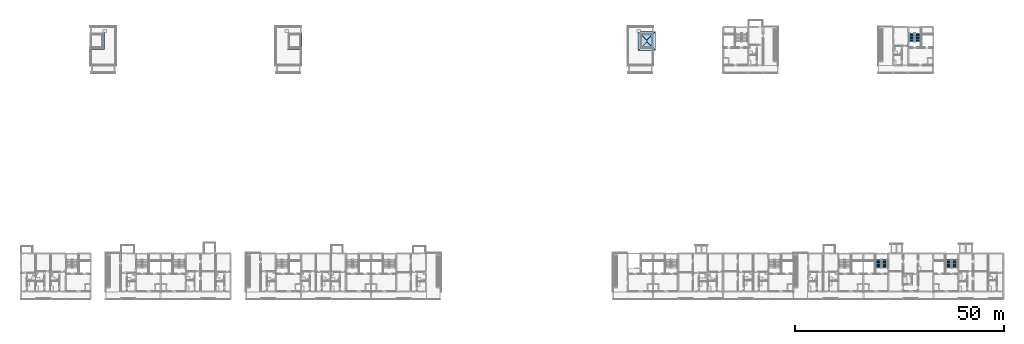
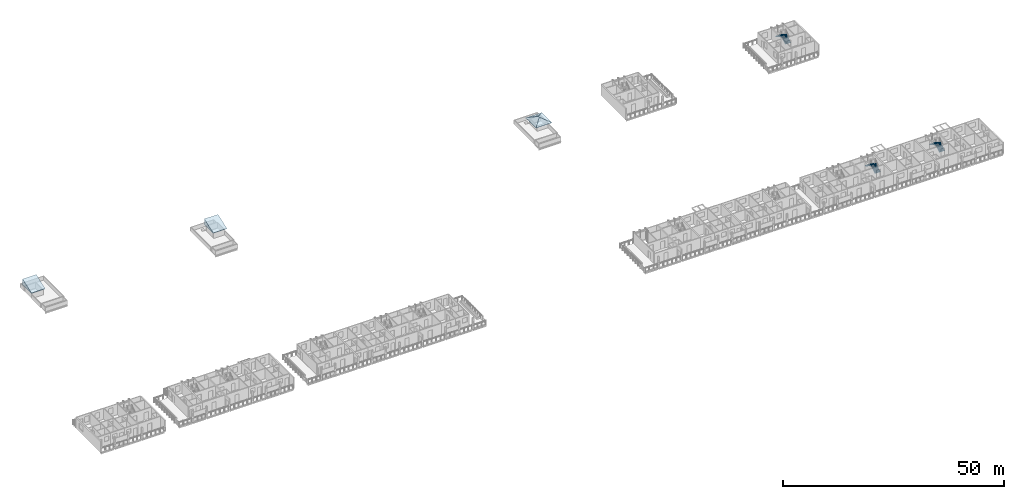
# One storey, part 44 of 64: 6 roofs, 6 stair flights, 3 elements without a shape of their own.
"""IFC4 building model written with IfcOpenShell, lengths in metres."""

import ifcopenshell
import ifcopenshell.guid

model = None  # the IFC model being written
_history = None  # IfcOwnerHistory: only IFC2X3 demands one
_inside = {}  # id of a spatial element -> (the spatial element, [elements in it])
_under = {}  # id of a project, library or spatial element -> (it, [spatial elements below it])
_declared = {}  # id of a project -> (the project, [libraries it declares])
_typed = {}  # id of a type object -> (the type object, [elements of that type])
_made_of = {}  # id of a material, layer set ... -> (it, [elements and type objects made of it])


def new_model(schema):
    """Start an empty IFC model of exactly this schema.

    Asked for "IFC4X3", IfcOpenShell would pick the latest addendum, in which some entities
    have other attributes; the version numbers below select the first issue.
    IFC2X3 requires an IfcOwnerHistory on every rooted entity: one is made here for all.
    """
    global model, _history
    if schema == "IFC4X3":
        model = ifcopenshell.file(schema_version=(4, 3, 0, 0))
    else:
        model = ifcopenshell.file(schema=schema)
    _inside.clear()
    _under.clear()
    _declared.clear()
    _typed.clear()
    _made_of.clear()
    _history = None
    if model.schema == "IFC2X3":
        org = make("IfcOrganization", Name="unknown")
        user = make(
            "IfcPersonAndOrganization",
            ThePerson=make("IfcPerson", FamilyName="unknown"),
            TheOrganization=org,
        )
        app = make(
            "IfcApplication",
            ApplicationDeveloper=org,
            Version="unknown",
            ApplicationFullName="unknown",
            ApplicationIdentifier="unknown",
        )
        _history = make(
            "IfcOwnerHistory",
            OwningUser=user,
            OwningApplication=app,
            ChangeAction="ADDED",
            CreationDate=0,
        )
    return model


def make(cls, **values):
    """One entity of the class cls with the attributes given. An attribute that is None is left unset."""
    return model.create_entity(
        cls, **{name: value for name, value in values.items() if value is not None}
    )


def rooted(cls, **values):
    """An entity with a GlobalId (a new one), such as an element, a storey or a relation."""
    return make(cls, GlobalId=ifcopenshell.guid.new(), OwnerHistory=_history, **values)


def si_unit(unit_type, name, prefix=None):
    """IfcSIUnit, for example si_unit("LENGTHUNIT", "METRE", prefix="MILLI")."""
    return make("IfcSIUnit", UnitType=unit_type, Prefix=prefix, Name=name)


def assignment(units):
    """IfcUnitAssignment: the units of a project."""
    return None if units is None else make("IfcUnitAssignment", Units=units)


def point(xyz):
    """IfcCartesianPoint."""
    return None if xyz is None else make("IfcCartesianPoint", Coordinates=xyz)


def direction(xyz):
    """IfcDirection."""
    return None if xyz is None else make("IfcDirection", DirectionRatios=xyz)


def frame(location, z_axis=None, x_axis=None):
    """IfcAxis2Placement3D, a coordinate frame: its origin and axes. An axis left out is left unset."""
    return make(
        "IfcAxis2Placement3D",
        Location=point(location),
        Axis=direction(z_axis),
        RefDirection=direction(x_axis),
    )


def origin():
    """The frame at (0, 0, 0) with its axes left unset."""
    return frame((0.0, 0.0, 0.0))


def place(relative_to, where):
    """IfcLocalPlacement: puts the frame where relative to a parent placement (None: the world)."""
    return make(
        "IfcLocalPlacement", PlacementRelTo=relative_to, RelativePlacement=where
    )


def context(
    kind, dimensions, precision=None, world=None, true_north=None, identifier=None
):
    """IfcGeometricRepresentationContext, for example the 3D "Model" context."""
    return make(
        "IfcGeometricRepresentationContext",
        ContextIdentifier=identifier,
        ContextType=kind,
        CoordinateSpaceDimension=dimensions,
        Precision=precision,
        WorldCoordinateSystem=world,
        TrueNorth=true_north,
    )


def subcontext(parent, identifier, kind, view, scale=None):
    """IfcGeometricRepresentationSubContext, for example "Body" below "Model"."""
    return make(
        "IfcGeometricRepresentationSubContext",
        ContextIdentifier=identifier,
        ContextType=kind,
        ParentContext=parent,
        TargetScale=scale,
        TargetView=view,
    )


def project(units=None, contexts=None):
    """IfcProject with its units and contexts."""
    return rooted(
        "IfcProject",
        Name="project",
        RepresentationContexts=contexts,
        UnitsInContext=assignment(units),
    )


def spatial(cls, under=None, at=None, **own):
    """A site, building, storey or space (cls), placed at a placement, below another one or the project."""
    s = rooted(cls, ObjectPlacement=at, **own)
    if under is not None:
        _under.setdefault(under.id(), (under, []))[1].append(s)
    return s


def polyline(points):
    """IfcPolyline through the points."""
    return make("IfcPolyline", Points=[point(p) for p in points])


def outline(outer, holes=None, kind="AREA"):
    """IfcArbitraryClosedProfileDef: a profile drawn as a closed curve; with holes, ...WithVoids."""
    if holes is None:
        return make("IfcArbitraryClosedProfileDef", ProfileType=kind, OuterCurve=outer)
    return make(
        "IfcArbitraryProfileDefWithVoids",
        ProfileType=kind,
        OuterCurve=outer,
        InnerCurves=holes,
    )


def extrude(swept, where, along, depth):
    """IfcExtrudedAreaSolid: the profile swept, set in the frame where, extruded along a direction by depth."""
    return make(
        "IfcExtrudedAreaSolid",
        SweptArea=swept,
        Position=where,
        ExtrudedDirection=direction(along),
        Depth=depth,
    )


def shape(context_of_items, identifier, shape_type, items):
    """IfcShapeRepresentation: the items that make up one representation, for example the "Body"."""
    return make(
        "IfcShapeRepresentation",
        ContextOfItems=context_of_items,
        RepresentationIdentifier=identifier,
        RepresentationType=shape_type,
        Items=items,
    )


def material(Name=None, Category=None):
    """IfcMaterial."""
    return make("IfcMaterial", Name=Name, Category=Category)


def made_of(thing, what):
    """Note that an element or type object is made of a material, layer set ...; save() writes the relation."""
    if what is not None:
        _made_of.setdefault(what.id(), (what, []))[1].append(thing)
    return thing


def type_object(cls, material=None, **own):
    """A type object (cls), such as IfcWallType, which elements share."""
    return made_of(rooted(cls, **own), material)


def element(
    cls,
    number,
    at=None,
    inside=None,
    cuts=None,
    type_object=None,
    material=None,
    context=None,
    identifier="Body",
    shape_type=None,
    held_by="IfcProductDefinitionShape",
    body=None,
    shapes=None,
    **own,
):
    """One element of the class cls, such as IfcWall. Its Tag is "e" and its number.

    at: its placement. inside: the storey or other place that contains it. cuts: it is an
    opening in that element (IfcRelVoidsElement). A single representation is given by context,
    identifier, shape_type and body (its items); several are given by shapes. held_by: the class
    of the entity that holds the representations. save() writes the other relations.
    """
    e = rooted(cls, Tag="e%d" % number, ObjectPlacement=at, **own)
    if body is not None:
        shapes = [shape(context, identifier, shape_type, body)]
    if shapes is not None:
        e.Representation = make(held_by, Representations=shapes)
    if inside is not None:
        _inside.setdefault(inside.id(), (inside, []))[1].append(e)
    if cuts is not None:
        rooted(
            "IfcRelVoidsElement", RelatingBuildingElement=cuts, RelatedOpeningElement=e
        )
    if type_object is not None:
        _typed.setdefault(type_object.id(), (type_object, []))[1].append(e)
    return made_of(e, material)


def aggregate(whole, parts):
    """IfcRelAggregates: a whole, such as a stair, and the parts it consists of."""
    return rooted("IfcRelAggregates", RelatingObject=whole, RelatedObjects=parts)


def save(model, path):
    """Write the relations noted so far, then the file.

    IfcRelAggregates (storeys below a building ...), IfcRelContainedInSpatialStructure (elements
    in a storey), IfcRelDefinesByType, IfcRelAssociatesMaterial and IfcRelDeclares: one each for
    every whole, place, type object, material and project.
    """
    for whole, parts in _under.values():
        aggregate(whole, parts)
    for where, things in _inside.values():
        rooted(
            "IfcRelContainedInSpatialStructure",
            RelatedElements=things,
            RelatingStructure=where,
        )
    for kind, things in _typed.values():
        rooted("IfcRelDefinesByType", RelatedObjects=things, RelatingType=kind)
    for what, things in _made_of.values():
        rooted("IfcRelAssociatesMaterial", RelatedObjects=things, RelatingMaterial=what)
    for by, libraries in _declared.values():
        rooted("IfcRelDeclares", RelatingContext=by, RelatedDefinitions=libraries)
    model.write(path)


model = new_model("IFC4")

# Units and contexts
model_context = context("Model", 3, precision=1e-05, world=origin(), true_north=direction((0.0, 1.0)))
body_context = subcontext(model_context, "Body", "Model", "MODEL_VIEW")
ifc_project = project(units=[si_unit("LENGTHUNIT", "METRE"), si_unit("AREAUNIT", "SQUARE_METRE"), si_unit("VOLUMEUNIT", "CUBIC_METRE"), si_unit("PLANEANGLEUNIT", "RADIAN"), si_unit("MASSUNIT", "GRAM", prefix="KILO")], contexts=[model_context])

# Site, building, storey
site_placement = place(None, origin())
site = spatial("IfcSite", under=ifc_project, at=site_placement, CompositionType="ELEMENT")
building_placement = place(site_placement, origin())
building = spatial("IfcBuilding", under=site, at=building_placement, Name="Ridgestep Commons", CompositionType="ELEMENT")
storey_placement = place(building_placement, frame((0.0, 0.0, 33.0)))
storey = spatial("IfcBuildingStorey", under=building, at=storey_placement, Name="L11", CompositionType="ELEMENT", Elevation=33.0)

# Stair, stair flights
ifc_material_1 = material(Name="Precast concrete C40/50", Category="concrete")
stair_type = type_object("IfcStairType", Name="Escape stair 1400", PredefinedType="HALF_TURN_STAIR", material=ifc_material_1)
stair_1_placement = place(storey_placement, origin())
stair_1 = element("IfcStair", 1, at=stair_1_placement, inside=storey, type_object=stair_type, Name="L11 Escape stair C5C", PredefinedType="HALF_TURN_STAIR")
ifc_material_2 = material(Name="Precast concrete C40/50", Category="concrete")
stair_flight_type = type_object("IfcStairFlightType", Name="Stair flight 1400", PredefinedType="STRAIGHT", material=ifc_material_2)
stair_flight_1_placement = place(storey_placement, frame((227.125, 73.60009765625, 0.0), z_axis=(0.0, 0.0, 1.0), x_axis=(0.0, 1.0, 0.0)))
stair_flight_1 = element("IfcStairFlight", 2, at=stair_flight_1_placement, type_object=stair_flight_type, Name="C5C flight 1", NumberOfRisers=8, NumberOfTreads=7, PredefinedType="STRAIGHT", RiserHeight=0.1875, TreadLength=0.28, context=body_context, shape_type="SweptSolid", body=[
    extrude(outline(polyline([(0.0, 0.0), (0.0, 0.1875), (0.280029296875, 0.1875), (0.280029296875, 0.375), (0.56005859375, 0.375), (0.56005859375, 0.5625), (0.840087890625, 0.5625), (0.840087890625, 0.75), (1.1201171875, 0.75), (1.1201171875, 0.9375), (1.39990234375, 0.9375), (1.39990234375, 1.125), (1.679931640625, 1.125), (1.679931640625, 1.3125), (1.9599609375, 1.3125), (1.9599609375, 1.5), (1.9599609375, 1.132080078125), (0.26953125, 0.0), (0.0, 0.0)])), frame((0.0, 0.699951171875, 0.0), z_axis=(0.0, -1.0, 0.0), x_axis=(1.0, 0.0, 0.0)), (0.0, 0.0, 1.0), 0.695068359375),
    extrude(outline(polyline([(0.0, 0.0), (0.0, 0.1875), (0.280029296875, 0.1875), (0.280029296875, 0.375), (0.56005859375, 0.375), (0.56005859375, 0.5625), (0.840087890625, 0.5625), (0.840087890625, 0.75), (1.1201171875, 0.75), (1.1201171875, 0.9375), (1.39990234375, 0.9375), (1.39990234375, 1.125), (1.679931640625, 1.125), (1.679931640625, 1.3125), (1.9599609375, 1.3125), (1.9599609375, 1.5), (1.9599609375, 1.132080078125), (0.26953125, 0.0), (0.0, 0.0)])), frame((0.0, -0.0048828125, 0.0), z_axis=(0.0, -1.0, 0.0), x_axis=(1.0, 0.0, 0.0)), (0.0, 0.0, 1.0), 0.695068359375),
])
stair_flight_2_placement = place(storey_placement, frame((225.625, 75.56005859375, 1.5), z_axis=(0.0, 0.0, 1.0), x_axis=(0.0, -1.0, 0.0)))
stair_flight_2 = element("IfcStairFlight", 3, at=stair_flight_2_placement, type_object=stair_flight_type, Name="C5C flight 2", NumberOfRisers=8, NumberOfTreads=7, PredefinedType="STRAIGHT", RiserHeight=0.1875, TreadLength=0.28, context=body_context, shape_type="SweptSolid", body=[
    extrude(outline(polyline([(0.0, 0.0), (0.0, 0.1875), (0.280029296875, 0.1875), (0.280029296875, 0.375), (0.56005859375, 0.375), (0.56005859375, 0.5625), (0.840087890625, 0.5625), (0.840087890625, 0.75), (1.1201171875, 0.75), (1.1201171875, 0.9375), (1.39990234375, 0.9375), (1.39990234375, 1.125), (1.679931640625, 1.125), (1.679931640625, 1.3125), (1.9599609375, 1.3125), (1.9599609375, 1.5), (1.9599609375, 1.132080078125), (0.26953125, 0.0), (0.0, 0.0)])), frame((0.0, 0.699951171875, 0.0), z_axis=(0.0, -1.0, 0.0), x_axis=(1.0, 0.0, 0.0)), (0.0, 0.0, 1.0), 0.695068359375),
    extrude(outline(polyline([(0.0, 0.0), (0.0, 0.1875), (0.280029296875, 0.1875), (0.280029296875, 0.375), (0.56005859375, 0.375), (0.56005859375, 0.5625), (0.840087890625, 0.5625), (0.840087890625, 0.75), (1.1201171875, 0.75), (1.1201171875, 0.9375), (1.39990234375, 0.9375), (1.39990234375, 1.125), (1.679931640625, 1.125), (1.679931640625, 1.3125), (1.9599609375, 1.3125), (1.9599609375, 1.5), (1.9599609375, 1.132080078125), (0.26953125, 0.0), (0.0, 0.0)])), frame((0.0, -0.0048828125, 0.0), z_axis=(0.0, -1.0, 0.0), x_axis=(1.0, 0.0, 0.0)), (0.0, 0.0, 1.0), 0.695068359375),
])
aggregate(stair_1, [stair_flight_1, stair_flight_2])

stair_2_placement = place(storey_placement, origin())
stair_2 = element("IfcStair", 4, at=stair_2_placement, inside=storey, type_object=stair_type, Name="L11 Escape stair D5C", PredefinedType="HALF_TURN_STAIR")
stair_flight_3_placement = place(storey_placement, frame((219.175048828125, 19.35009765625, 0.0), z_axis=(0.0, 0.0, 1.0), x_axis=(0.0, 1.0, 0.0)))
stair_flight_3 = element("IfcStairFlight", 5, at=stair_flight_3_placement, type_object=stair_flight_type, Name="D5C flight 1", NumberOfRisers=8, NumberOfTreads=7, PredefinedType="STRAIGHT", RiserHeight=0.1875, TreadLength=0.28, context=body_context, shape_type="SweptSolid", body=[
    extrude(outline(polyline([(0.0, 0.0), (0.0, 0.1875), (0.280029296875, 0.1875), (0.280029296875, 0.375), (0.56005859375, 0.375), (0.56005859375, 0.5625), (0.840087890625, 0.5625), (0.840087890625, 0.75), (1.1201171875, 0.75), (1.1201171875, 0.9375), (1.39990234375, 0.9375), (1.39990234375, 1.125), (1.679931640625, 1.125), (1.679931640625, 1.3125), (1.9599609375, 1.3125), (1.9599609375, 1.5), (1.9599609375, 1.132080078125), (0.26953125, 0.0), (0.0, 0.0)])), frame((0.0, 0.699951171875, 0.0), z_axis=(0.0, -1.0, 0.0), x_axis=(1.0, 0.0, 0.0)), (0.0, 0.0, 1.0), 0.695068359375),
    extrude(outline(polyline([(0.0, 0.0), (0.0, 0.1875), (0.280029296875, 0.1875), (0.280029296875, 0.375), (0.56005859375, 0.375), (0.56005859375, 0.5625), (0.840087890625, 0.5625), (0.840087890625, 0.75), (1.1201171875, 0.75), (1.1201171875, 0.9375), (1.39990234375, 0.9375), (1.39990234375, 1.125), (1.679931640625, 1.125), (1.679931640625, 1.3125), (1.9599609375, 1.3125), (1.9599609375, 1.5), (1.9599609375, 1.132080078125), (0.26953125, 0.0), (0.0, 0.0)])), frame((0.0, -0.0048828125, 0.0), z_axis=(0.0, -1.0, 0.0), x_axis=(1.0, 0.0, 0.0)), (0.0, 0.0, 1.0), 0.695068359375),
])
stair_flight_4_placement = place(storey_placement, frame((217.675048828125, 21.31005859375, 1.5), z_axis=(0.0, 0.0, 1.0), x_axis=(0.0, -1.0, 0.0)))
stair_flight_4 = element("IfcStairFlight", 6, at=stair_flight_4_placement, type_object=stair_flight_type, Name="D5C flight 2", NumberOfRisers=8, NumberOfTreads=7, PredefinedType="STRAIGHT", RiserHeight=0.1875, TreadLength=0.28, context=body_context, shape_type="SweptSolid", body=[
    extrude(outline(polyline([(0.0, 0.0), (0.0, 0.1875), (0.280029296875, 0.1875), (0.280029296875, 0.375), (0.56005859375, 0.375), (0.56005859375, 0.5625), (0.840087890625, 0.5625), (0.840087890625, 0.75), (1.1201171875, 0.75), (1.1201171875, 0.9375), (1.39990234375, 0.9375), (1.39990234375, 1.125), (1.679931640625, 1.125), (1.679931640625, 1.3125), (1.9599609375, 1.3125), (1.9599609375, 1.5), (1.9599609375, 1.132080078125), (0.26953125, 0.0), (0.0, 0.0)])), frame((0.0, 0.699951171875, 0.0), z_axis=(0.0, -1.0, 0.0), x_axis=(1.0, 0.0, 0.0)), (0.0, 0.0, 1.0), 0.695068359375),
    extrude(outline(polyline([(0.0, 0.0), (0.0, 0.1875), (0.280029296875, 0.1875), (0.280029296875, 0.375), (0.56005859375, 0.375), (0.56005859375, 0.5625), (0.840087890625, 0.5625), (0.840087890625, 0.75), (1.1201171875, 0.75), (1.1201171875, 0.9375), (1.39990234375, 0.9375), (1.39990234375, 1.125), (1.679931640625, 1.125), (1.679931640625, 1.3125), (1.9599609375, 1.3125), (1.9599609375, 1.5), (1.9599609375, 1.132080078125), (0.26953125, 0.0), (0.0, 0.0)])), frame((0.0, -0.0048828125, 0.0), z_axis=(0.0, -1.0, 0.0), x_axis=(1.0, 0.0, 0.0)), (0.0, 0.0, 1.0), 0.695068359375),
])
aggregate(stair_2, [stair_flight_3, stair_flight_4])

stair_3_placement = place(storey_placement, origin())
stair_3 = element("IfcStair", 7, at=stair_3_placement, inside=storey, type_object=stair_type, Name="L11 Escape stair D6C", PredefinedType="HALF_TURN_STAIR")
stair_flight_5_placement = place(storey_placement, frame((235.97509765625, 19.35009765625, 0.0), z_axis=(0.0, 0.0, 1.0), x_axis=(0.0, 1.0, 0.0)))
stair_flight_5 = element("IfcStairFlight", 8, at=stair_flight_5_placement, type_object=stair_flight_type, Name="D6C flight 1", NumberOfRisers=8, NumberOfTreads=7, PredefinedType="STRAIGHT", RiserHeight=0.1875, TreadLength=0.28, context=body_context, shape_type="SweptSolid", body=[
    extrude(outline(polyline([(0.0, 0.0), (0.0, 0.1875), (0.280029296875, 0.1875), (0.280029296875, 0.375), (0.56005859375, 0.375), (0.56005859375, 0.5625), (0.840087890625, 0.5625), (0.840087890625, 0.75), (1.1201171875, 0.75), (1.1201171875, 0.9375), (1.39990234375, 0.9375), (1.39990234375, 1.125), (1.679931640625, 1.125), (1.679931640625, 1.3125), (1.9599609375, 1.3125), (1.9599609375, 1.5), (1.9599609375, 1.132080078125), (0.26953125, 0.0), (0.0, 0.0)])), frame((0.0, 0.699951171875, 0.0), z_axis=(0.0, -1.0, 0.0), x_axis=(1.0, 0.0, 0.0)), (0.0, 0.0, 1.0), 0.695068359375),
    extrude(outline(polyline([(0.0, 0.0), (0.0, 0.1875), (0.280029296875, 0.1875), (0.280029296875, 0.375), (0.56005859375, 0.375), (0.56005859375, 0.5625), (0.840087890625, 0.5625), (0.840087890625, 0.75), (1.1201171875, 0.75), (1.1201171875, 0.9375), (1.39990234375, 0.9375), (1.39990234375, 1.125), (1.679931640625, 1.125), (1.679931640625, 1.3125), (1.9599609375, 1.3125), (1.9599609375, 1.5), (1.9599609375, 1.132080078125), (0.26953125, 0.0), (0.0, 0.0)])), frame((0.0, -0.0048828125, 0.0), z_axis=(0.0, -1.0, 0.0), x_axis=(1.0, 0.0, 0.0)), (0.0, 0.0, 1.0), 0.695068359375),
])
stair_flight_6_placement = place(storey_placement, frame((234.47509765625, 21.31005859375, 1.5), z_axis=(0.0, 0.0, 1.0), x_axis=(0.0, -1.0, 0.0)))
stair_flight_6 = element("IfcStairFlight", 9, at=stair_flight_6_placement, type_object=stair_flight_type, Name="D6C flight 2", NumberOfRisers=8, NumberOfTreads=7, PredefinedType="STRAIGHT", RiserHeight=0.1875, TreadLength=0.28, context=body_context, shape_type="SweptSolid", body=[
    extrude(outline(polyline([(0.0, 0.0), (0.0, 0.1875), (0.280029296875, 0.1875), (0.280029296875, 0.375), (0.56005859375, 0.375), (0.56005859375, 0.5625), (0.840087890625, 0.5625), (0.840087890625, 0.75), (1.1201171875, 0.75), (1.1201171875, 0.9375), (1.39990234375, 0.9375), (1.39990234375, 1.125), (1.679931640625, 1.125), (1.679931640625, 1.3125), (1.9599609375, 1.3125), (1.9599609375, 1.5), (1.9599609375, 1.132080078125), (0.26953125, 0.0), (0.0, 0.0)])), frame((0.0, 0.699951171875, 0.0), z_axis=(0.0, -1.0, 0.0), x_axis=(1.0, 0.0, 0.0)), (0.0, 0.0, 1.0), 0.695068359375),
    extrude(outline(polyline([(0.0, 0.0), (0.0, 0.1875), (0.280029296875, 0.1875), (0.280029296875, 0.375), (0.56005859375, 0.375), (0.56005859375, 0.5625), (0.840087890625, 0.5625), (0.840087890625, 0.75), (1.1201171875, 0.75), (1.1201171875, 0.9375), (1.39990234375, 0.9375), (1.39990234375, 1.125), (1.679931640625, 1.125), (1.679931640625, 1.3125), (1.9599609375, 1.3125), (1.9599609375, 1.5), (1.9599609375, 1.132080078125), (0.26953125, 0.0), (0.0, 0.0)])), frame((0.0, -0.0048828125, 0.0), z_axis=(0.0, -1.0, 0.0), x_axis=(1.0, 0.0, 0.0)), (0.0, 0.0, 1.0), 0.695068359375),
])
aggregate(stair_3, [stair_flight_5, stair_flight_6])

# Roofs
ifc_material_3 = material(Name="Zinc-aluminium profiled sheet", Category="aluminium")
roof_type_1 = type_object("IfcRoofType", Name="Hipped crown 4175 x 4600", PredefinedType="HIP_ROOF", material=ifc_material_3)
roof_1_placement = place(storey_placement, frame((160.02490234375, 71.39990234375, 1.540283203125), z_axis=(-0.422583717399, 0.0, 0.906323894526), x_axis=(0.0, 1.0, 0.0)))
element("IfcRoof", 10, at=roof_1_placement, inside=storey, type_object=roof_type_1, Name="Hipped crown C1C plane 1", PredefinedType="HIP_ROOF", context=body_context, shape_type="SweptSolid", body=[
    extrude(outline(polyline([(0.0, 0.0), (4.60009765625, 0.0), (2.5126953125, -2.303422095547812), (2.087646484375, -2.303422095547812), (0.0, 0.0)])), origin(), (0.0, 0.0, -1.0), 0.1201171875),
])
roof_2_placement = place(storey_placement, frame((164.199951171875, 76.0, 1.540283203125), z_axis=(0.422624314956, 0.0, 0.906304964352), x_axis=(0.0, -1.0, 0.0)))
element("IfcRoof", 11, at=roof_2_placement, inside=storey, type_object=roof_type_1, Name="Hipped crown C1C plane 2", PredefinedType="HIP_ROOF", context=body_context, shape_type="SweptSolid", body=[
    extrude(outline(polyline([(0.0, 0.0), (4.60009765625, 0.0), (2.512451171875, -2.303200827376451), (2.08740234375, -2.303200827376451), (0.0, 0.0)])), origin(), (0.0, 0.0, -1.0), 0.1201171875),
])
roof_3_placement = place(storey_placement, frame((164.199951171875, 71.39990234375, 1.540283203125), z_axis=(0.0, -0.422583717399, 0.906323894526), x_axis=(-1.0, 0.0, 0.0)))
element("IfcRoof", 12, at=roof_3_placement, inside=storey, type_object=roof_type_1, Name="Hipped crown C1C plane 3", PredefinedType="HIP_ROOF", context=body_context, shape_type="SweptSolid", body=[
    extrude(outline(polyline([(0.0, 0.0), (4.175048828125, 0.0), (2.08740234375, -2.303422095547812), (0.0, 0.0)])), origin(), (0.0, 0.0, -1.0), 0.1201171875),
])
roof_4_placement = place(storey_placement, frame((160.02490234375, 76.0, 1.540283203125), z_axis=(0.0, 0.422624314956, 0.906304964352), x_axis=(1.0, 0.0, 0.0)))
element("IfcRoof", 13, at=roof_4_placement, inside=storey, type_object=roof_type_1, Name="Hipped crown C1C plane 4", PredefinedType="HIP_ROOF", context=body_context, shape_type="SweptSolid", body=[
    extrude(outline(polyline([(0.0, 0.0), (4.175048828125, 0.0), (2.087646484375, -2.303200827376451), (0.0, 0.0)])), origin(), (0.0, 0.0, -1.0), 0.1201171875),
])
ifc_material_4 = material(Name="Zinc-aluminium profiled sheet", Category="aluminium")
roof_type_2 = type_object("IfcRoofType", Name="Monopitch crown 3575 x 4000", PredefinedType="SHED_ROOF", material=ifc_material_4)
for number, where, z_axis, x_axis, name in (
    (14, (30.28759765625, 75.699951171875, 1.699951171875), (0.0, 0.0, 1.0), (0.0, -1.0, 0.0), "Monopitch crown B2C"),
    (15, (77.71240234375, 75.699951171875, 1.699951171875), (0.0, 0.0, 1.0), (0.0, -1.0, 0.0), "Monopitch crown B4C"),
):
    element("IfcRoof", number, at=place(storey_placement, frame(where, z_axis=z_axis, x_axis=x_axis)), inside=storey, type_object=roof_type_2, Name=name, PredefinedType="SHED_ROOF", context=body_context, shape_type="SweptSolid", body=[
        extrude(outline(polyline([(0.0, 0.0), (4.0, 0.0), (4.0, 0.1201171875), (0.0, 1.575927734375), (0.0, 0.0)])), frame((0.0, 1.78759765625, 0.0), z_axis=(0.0, -1.0, 0.0), x_axis=(1.0, 0.0, 0.0)), (0.0, 0.0, 1.0), 3.574951171875),
    ])

save(model, "model.ifc")
